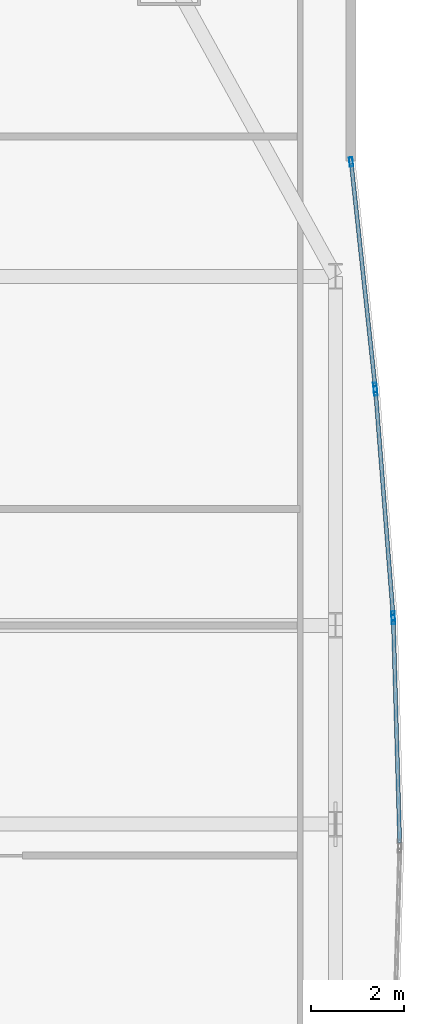
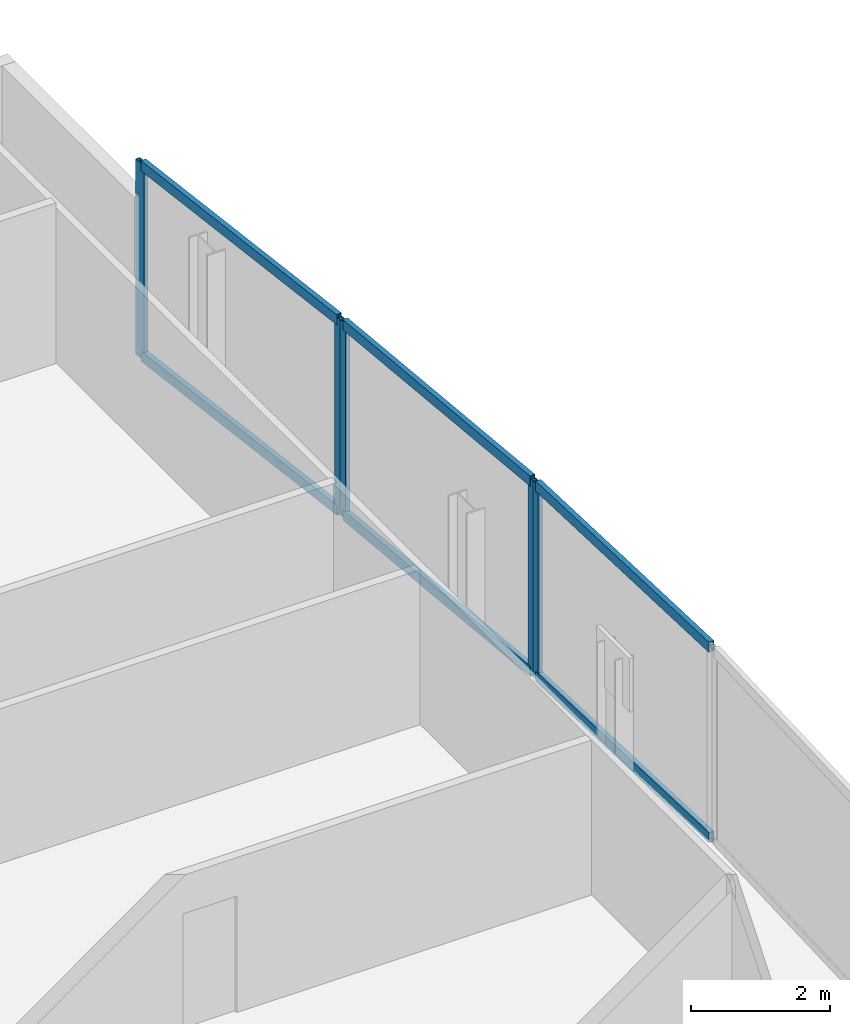
# One storey, part 22 of 29: 11 members, 3 elements without a shape of their own.
"""IFC4 building model written with IfcOpenShell, lengths in metres."""

from ifc_helpers import new_model, si_unit, direction, frame, origin, origin_2d, place, context, subcontext, project, spatial, hollow_rectangle, extrude, material, material_profile, profile_set, type_object, element, aggregate, save


model = new_model("IFC4")

# Units and contexts
model_context = context("Model", 3, precision=1e-05, world=origin(), true_north=direction((0.0, 1.0)))
body_context = subcontext(model_context, "Body", "Model", "MODEL_VIEW")
ifc_project = project(units=[si_unit("LENGTHUNIT", "METRE"), si_unit("AREAUNIT", "SQUARE_METRE"), si_unit("VOLUMEUNIT", "CUBIC_METRE"), si_unit("PLANEANGLEUNIT", "RADIAN"), si_unit("MASSUNIT", "GRAM", prefix="KILO")], contexts=[model_context])

# Site, building, storey
site_placement = place(None, origin())
site = spatial("IfcSite", under=ifc_project, at=site_placement, CompositionType="ELEMENT")
building_placement = place(site_placement, origin())
building = spatial("IfcBuilding", under=site, at=building_placement, Name="Khoronbel Lancet Exchange", CompositionType="ELEMENT")
storey_placement = place(building_placement, frame((0.0, 0.0, 143.39990234375)))
storey = spatial("IfcBuildingStorey", under=building, at=storey_placement, Name="L35", CompositionType="ELEMENT", Elevation=143.39990234375)

# Curtain wall, members
ifc_material_1 = material(Name="Low-E Solar Control Insulating Glass", Category="glass")
curtain_wall_type = type_object("IfcCurtainWallType", Name="CW-4", PredefinedType="NOTDEFINED", material=ifc_material_1)
curtain_wall_1_placement = place(storey_placement, origin())
curtain_wall_1 = element("IfcCurtainWall", 1, at=curtain_wall_1_placement, inside=storey, type_object=curtain_wall_type, Name="Unitised curtain wall CW-L35-E17", PredefinedType="NOTDEFINED")
ifc_material_2 = material(Name="Bronze-Anodised Aluminium 6063-T6", Category="aluminium")
ifc_material_profile_1 = material_profile(ifc_material_2, hollow_rectangle(XDim=0.074951171875, YDim=0.199951171875, WallThickness=0.0048828125, at=origin_2d()), Name="ALU MULLION 75x200")
ifc_profile_set_1 = profile_set([ifc_material_profile_1], Name="Bronze-Anodised Aluminium 6063-T6")
member_type_1 = type_object("IfcMemberType", Name="MEM-CWM2", PredefinedType="MULLION", material=ifc_profile_set_1)
member_1_placement = place(storey_placement, frame((67.9638671875, 45.657958984375, 0.0), z_axis=(0.0, 0.0, 1.0), x_axis=(0.994346859972, 0.106180610586, 0.0)))
member_1 = element("IfcMember", 2, at=member_1_placement, type_object=member_type_1, Name="CW4 mullion 1", PredefinedType="MULLION", context=body_context, shape_type="SweptSolid", body=[
    extrude(hollow_rectangle(XDim=0.074951171875, YDim=0.199951171875, WallThickness=0.0048828125, at=origin_2d()), origin(), (0.0, 0.0, 1.0), 3.440185546875),
])
member_2_placement = place(storey_placement, frame((68.4814453125, 40.812255859375, 0.0), z_axis=(0.0, 0.0, 1.0), x_axis=(0.994346859972, 0.106180610586, 0.0)))
member_2 = element("IfcMember", 3, at=member_2_placement, type_object=member_type_1, Name="CW4 mullion 2", PredefinedType="MULLION", context=body_context, shape_type="SweptSolid", body=[
    extrude(hollow_rectangle(XDim=0.074951171875, YDim=0.199951171875, WallThickness=0.0048828125, at=origin_2d()), origin(), (0.0, 0.0, 1.0), 3.440185546875),
])

curtain_wall_2_placement = place(storey_placement, origin())
curtain_wall_2 = element("IfcCurtainWall", 4, at=curtain_wall_2_placement, inside=storey, type_object=curtain_wall_type, Name="Unitised curtain wall CW-L35-E18", PredefinedType="NOTDEFINED")
member_3_placement = place(storey_placement, frame((68.48828125, 40.737548828125, 0.0), z_axis=(0.0, 0.0, 1.0), x_axis=(0.996959555693, 0.077920756627, 0.0)))
member_3 = element("IfcMember", 5, at=member_3_placement, type_object=member_type_1, Name="CW4 mullion 1", PredefinedType="MULLION", context=body_context, shape_type="SweptSolid", body=[
    extrude(hollow_rectangle(XDim=0.074951171875, YDim=0.199951171875, WallThickness=0.0048828125, at=origin_2d()), origin(), (0.0, 0.0, 1.0), 3.440185546875),
])
member_4_placement = place(storey_placement, frame((68.866455078125, 35.899169921875, 0.0), z_axis=(0.0, 0.0, 1.0), x_axis=(0.996959555693, 0.077920756627, 0.0)))
member_4 = element("IfcMember", 6, at=member_4_placement, type_object=member_type_1, Name="CW4 mullion 2", PredefinedType="MULLION", context=body_context, shape_type="SweptSolid", body=[
    extrude(hollow_rectangle(XDim=0.074951171875, YDim=0.199951171875, WallThickness=0.0048828125, at=origin_2d()), origin(), (0.0, 0.0, 1.0), 3.440185546875),
])

# Curtain wall, member
curtain_wall_3_placement = place(storey_placement, origin())
curtain_wall_3 = element("IfcCurtainWall", 7, at=curtain_wall_3_placement, inside=storey, type_object=curtain_wall_type, Name="Unitised curtain wall CW-L35-E19", PredefinedType="NOTDEFINED")
member_5_placement = place(storey_placement, frame((68.870361328125, 35.824462890625, 0.0), z_axis=(0.0, 0.0, 1.0), x_axis=(0.999590574553, 0.028612641702, 0.0)))
member_5 = element("IfcMember", 8, at=member_5_placement, type_object=member_type_1, Name="CW4 mullion 1", PredefinedType="MULLION", context=body_context, shape_type="SweptSolid", body=[
    extrude(hollow_rectangle(XDim=0.074951171875, YDim=0.199951171875, WallThickness=0.0048828125, at=origin_2d()), origin(), (0.0, 0.0, 1.0), 3.440185546875),
])

# Member
ifc_material_profile_2 = material_profile(ifc_material_2, hollow_rectangle(XDim=0.0849609375, YDim=0.179931640625, WallThickness=0.0048828125, at=origin_2d()), Name="ALU TRANSOM 85x180")
ifc_profile_set_2 = profile_set([ifc_material_profile_2], Name="Bronze-Anodised Aluminium 6063-T6")
member_type_2 = type_object("IfcMemberType", Name="MEM-CWT1", PredefinedType="USERDEFINED", material=ifc_profile_set_2)
member_6_placement = place(storey_placement, frame((67.968017578125, 45.62060546875, 0.04248046875), z_axis=(0.106191761921, -0.994345669121, 0.0), x_axis=(0.994345669121, 0.106191761921, 0.0)))
member_6 = element("IfcMember", 9, at=member_6_placement, type_object=member_type_2, Name="CW4 transom 1.1", ObjectType="TRANSOM", PredefinedType="USERDEFINED", context=body_context, shape_type="SweptSolid", body=[
    extrude(hollow_rectangle(XDim=0.0849609375, YDim=0.179931640625, WallThickness=0.0048828125, at=origin_2d()), origin(), (0.0, 0.0, 1.0), 4.798095703125),
])

member_7_placement = place(storey_placement, frame((67.968017578125, 45.62060546875, 3.397705078125), z_axis=(0.106191761921, -0.994345669121, 0.0), x_axis=(0.994345669121, 0.106191761921, 0.0)))
member_7 = element("IfcMember", 10, at=member_7_placement, type_object=member_type_2, Name="CW4 transom 1.2", ObjectType="TRANSOM", PredefinedType="USERDEFINED", context=body_context, shape_type="SweptSolid", body=[
    extrude(hollow_rectangle(XDim=0.0849609375, YDim=0.179931640625, WallThickness=0.0048828125, at=origin_2d()), origin(), (0.0, 0.0, 1.0), 4.798095703125),
])

aggregate(curtain_wall_1, [member_1, member_2, member_6, member_7])

member_8_placement = place(storey_placement, frame((68.4912109375, 40.7001953125, 0.04248046875), z_axis=(0.077923377074, -0.996959350879, 0.0), x_axis=(0.996959350879, 0.077923377074, 0.0)))
member_8 = element("IfcMember", 11, at=member_8_placement, type_object=member_type_2, Name="CW4 transom 1.1", ObjectType="TRANSOM", PredefinedType="USERDEFINED", context=body_context, shape_type="SweptSolid", body=[
    extrude(hollow_rectangle(XDim=0.0849609375, YDim=0.179931640625, WallThickness=0.0048828125, at=origin_2d()), origin(), (0.0, 0.0, 1.0), 4.778076171875),
])

member_9_placement = place(storey_placement, frame((68.4912109375, 40.7001953125, 3.397705078125), z_axis=(0.077923377074, -0.996959350879, 0.0), x_axis=(0.996959350879, 0.077923377074, 0.0)))
member_9 = element("IfcMember", 12, at=member_9_placement, type_object=member_type_2, Name="CW4 transom 1.2", ObjectType="TRANSOM", PredefinedType="USERDEFINED", context=body_context, shape_type="SweptSolid", body=[
    extrude(hollow_rectangle(XDim=0.0849609375, YDim=0.179931640625, WallThickness=0.0048828125, at=origin_2d()), origin(), (0.0, 0.0, 1.0), 4.778076171875),
])

aggregate(curtain_wall_2, [member_3, member_4, member_8, member_9])

member_10_placement = place(storey_placement, frame((68.87158203125, 35.786865234375, 0.04248046875), z_axis=(0.028596349692, -0.999591040768, 0.0), x_axis=(0.999591040768, 0.028596349692, 0.0)))
member_10 = element("IfcMember", 13, at=member_10_placement, type_object=member_type_2, Name="CW4 transom 1.1", ObjectType="TRANSOM", PredefinedType="USERDEFINED", context=body_context, shape_type="SweptSolid", body=[
    extrude(hollow_rectangle(XDim=0.0849609375, YDim=0.179931640625, WallThickness=0.0048828125, at=origin_2d()), origin(), (0.0, 0.0, 1.0), 4.763916015625),
])

member_11_placement = place(storey_placement, frame((68.87158203125, 35.786865234375, 3.397705078125), z_axis=(0.028596349692, -0.999591040768, 0.0), x_axis=(0.999591040768, 0.028596349692, 0.0)))
member_11 = element("IfcMember", 14, at=member_11_placement, type_object=member_type_2, Name="CW4 transom 1.2", ObjectType="TRANSOM", PredefinedType="USERDEFINED", context=body_context, shape_type="SweptSolid", body=[
    extrude(hollow_rectangle(XDim=0.0849609375, YDim=0.179931640625, WallThickness=0.0048828125, at=origin_2d()), origin(), (0.0, 0.0, 1.0), 4.763916015625),
])

aggregate(curtain_wall_3, [member_5, member_10, member_11])

save(model, "model.ifc")
